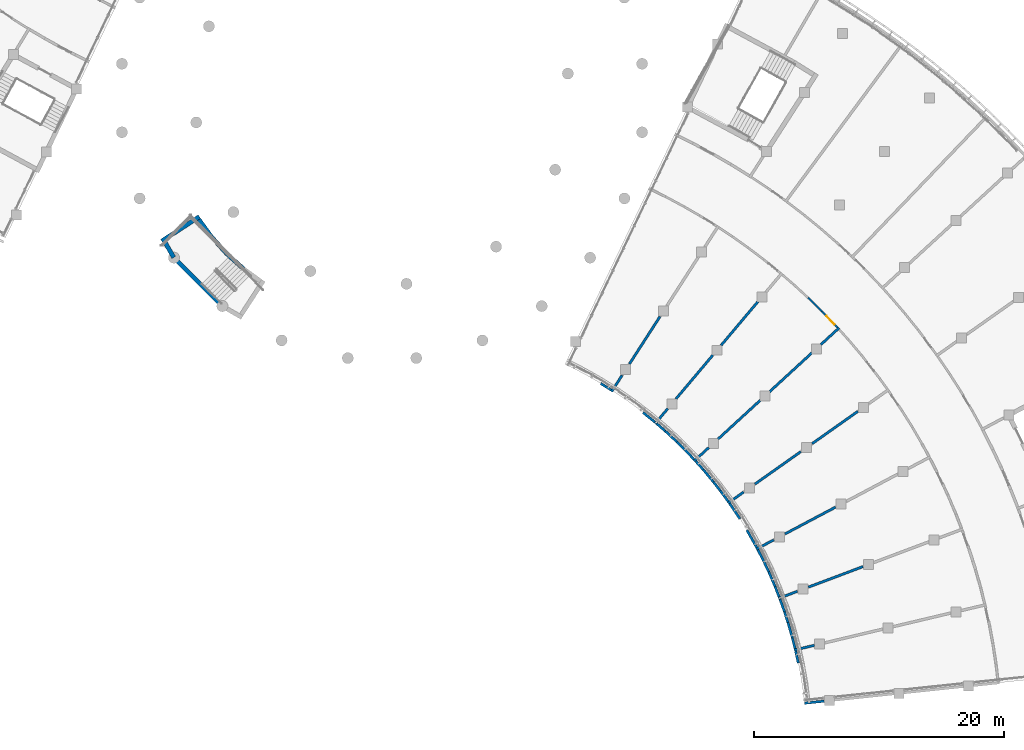
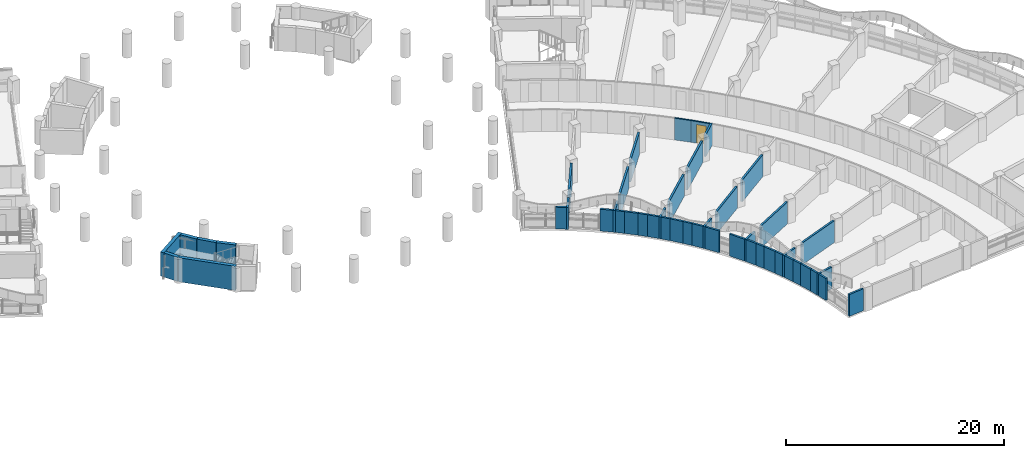
# One storey, part 39 of 89: 47 walls, 1 door, 1 opening.
"""IFC4 building model written with IfcOpenShell, lengths in metres."""

import ifcopenshell
import ifcopenshell.guid

model = None  # the IFC model being written
_history = None  # IfcOwnerHistory: only IFC2X3 demands one
_inside = {}  # id of a spatial element -> (the spatial element, [elements in it])
_under = {}  # id of a project, library or spatial element -> (it, [spatial elements below it])
_declared = {}  # id of a project -> (the project, [libraries it declares])
_typed = {}  # id of a type object -> (the type object, [elements of that type])
_made_of = {}  # id of a material, layer set ... -> (it, [elements and type objects made of it])


def new_model(schema):
    """Start an empty IFC model of exactly this schema.

    Asked for "IFC4X3", IfcOpenShell would pick the latest addendum, in which some entities
    have other attributes; the version numbers below select the first issue.
    IFC2X3 requires an IfcOwnerHistory on every rooted entity: one is made here for all.
    """
    global model, _history
    if schema == "IFC4X3":
        model = ifcopenshell.file(schema_version=(4, 3, 0, 0))
    else:
        model = ifcopenshell.file(schema=schema)
    _inside.clear()
    _under.clear()
    _declared.clear()
    _typed.clear()
    _made_of.clear()
    _history = None
    if model.schema == "IFC2X3":
        org = make("IfcOrganization", Name="unknown")
        user = make(
            "IfcPersonAndOrganization",
            ThePerson=make("IfcPerson", FamilyName="unknown"),
            TheOrganization=org,
        )
        app = make(
            "IfcApplication",
            ApplicationDeveloper=org,
            Version="unknown",
            ApplicationFullName="unknown",
            ApplicationIdentifier="unknown",
        )
        _history = make(
            "IfcOwnerHistory",
            OwningUser=user,
            OwningApplication=app,
            ChangeAction="ADDED",
            CreationDate=0,
        )
    return model


def make(cls, **values):
    """One entity of the class cls with the attributes given. An attribute that is None is left unset."""
    return model.create_entity(
        cls, **{name: value for name, value in values.items() if value is not None}
    )


def rooted(cls, **values):
    """An entity with a GlobalId (a new one), such as an element, a storey or a relation."""
    return make(cls, GlobalId=ifcopenshell.guid.new(), OwnerHistory=_history, **values)


def si_unit(unit_type, name, prefix=None):
    """IfcSIUnit, for example si_unit("LENGTHUNIT", "METRE", prefix="MILLI")."""
    return make("IfcSIUnit", UnitType=unit_type, Prefix=prefix, Name=name)


def assignment(units):
    """IfcUnitAssignment: the units of a project."""
    return None if units is None else make("IfcUnitAssignment", Units=units)


def point(xyz):
    """IfcCartesianPoint."""
    return None if xyz is None else make("IfcCartesianPoint", Coordinates=xyz)


def direction(xyz):
    """IfcDirection."""
    return None if xyz is None else make("IfcDirection", DirectionRatios=xyz)


def frame(location, z_axis=None, x_axis=None):
    """IfcAxis2Placement3D, a coordinate frame: its origin and axes. An axis left out is left unset."""
    return make(
        "IfcAxis2Placement3D",
        Location=point(location),
        Axis=direction(z_axis),
        RefDirection=direction(x_axis),
    )


def frame_2d(location, x_axis=None):
    """IfcAxis2Placement2D, a coordinate frame in the plane: its origin and x axis."""
    return make(
        "IfcAxis2Placement2D", Location=point(location), RefDirection=direction(x_axis)
    )


def origin():
    """The frame at (0, 0, 0) with its axes left unset."""
    return frame((0.0, 0.0, 0.0))


def place(relative_to, where):
    """IfcLocalPlacement: puts the frame where relative to a parent placement (None: the world)."""
    return make(
        "IfcLocalPlacement", PlacementRelTo=relative_to, RelativePlacement=where
    )


def context(
    kind, dimensions, precision=None, world=None, true_north=None, identifier=None
):
    """IfcGeometricRepresentationContext, for example the 3D "Model" context."""
    return make(
        "IfcGeometricRepresentationContext",
        ContextIdentifier=identifier,
        ContextType=kind,
        CoordinateSpaceDimension=dimensions,
        Precision=precision,
        WorldCoordinateSystem=world,
        TrueNorth=true_north,
    )


def subcontext(parent, identifier, kind, view, scale=None):
    """IfcGeometricRepresentationSubContext, for example "Body" below "Model"."""
    return make(
        "IfcGeometricRepresentationSubContext",
        ContextIdentifier=identifier,
        ContextType=kind,
        ParentContext=parent,
        TargetScale=scale,
        TargetView=view,
    )


def project(units=None, contexts=None):
    """IfcProject with its units and contexts."""
    return rooted(
        "IfcProject",
        Name="project",
        RepresentationContexts=contexts,
        UnitsInContext=assignment(units),
    )


def spatial(cls, under=None, at=None, **own):
    """A site, building, storey or space (cls), placed at a placement, below another one or the project."""
    s = rooted(cls, ObjectPlacement=at, **own)
    if under is not None:
        _under.setdefault(under.id(), (under, []))[1].append(s)
    return s


def profile(cls, at=None, kind="AREA", **sizes):
    """A parametric profile (cls). Its sizes go by their IFC names, for example OverallWidth=200.0."""
    return make(cls, ProfileType=kind, Position=at, **sizes)


def rectangle(**sizes):
    """IfcRectangleProfileDef."""
    return profile("IfcRectangleProfileDef", **sizes)


def extrude(swept, where, along, depth):
    """IfcExtrudedAreaSolid: the profile swept, set in the frame where, extruded along a direction by depth."""
    return make(
        "IfcExtrudedAreaSolid",
        SweptArea=swept,
        Position=where,
        ExtrudedDirection=direction(along),
        Depth=depth,
    )


def shape(context_of_items, identifier, shape_type, items):
    """IfcShapeRepresentation: the items that make up one representation, for example the "Body"."""
    return make(
        "IfcShapeRepresentation",
        ContextOfItems=context_of_items,
        RepresentationIdentifier=identifier,
        RepresentationType=shape_type,
        Items=items,
    )


def material(Name=None, Category=None):
    """IfcMaterial."""
    return make("IfcMaterial", Name=Name, Category=Category)


def layer(
    of_material, thickness, ventilated=None, Name=None, Category=None, Priority=None
):
    """IfcMaterialLayer: one layer of a wall or slab, of a material (None: an air gap)."""
    return make(
        "IfcMaterialLayer",
        Material=of_material,
        LayerThickness=thickness,
        IsVentilated=ventilated,
        Name=Name,
        Category=Category,
        Priority=Priority,
    )


def layer_set(layers, Name=None):
    """IfcMaterialLayerSet."""
    return make("IfcMaterialLayerSet", MaterialLayers=layers, LayerSetName=Name)


def made_of(thing, what):
    """Note that an element or type object is made of a material, layer set ...; save() writes the relation."""
    if what is not None:
        _made_of.setdefault(what.id(), (what, []))[1].append(thing)
    return thing


def type_object(cls, material=None, **own):
    """A type object (cls), such as IfcWallType, which elements share."""
    return made_of(rooted(cls, **own), material)


def element(
    cls,
    number,
    at=None,
    inside=None,
    cuts=None,
    type_object=None,
    material=None,
    context=None,
    identifier="Body",
    shape_type=None,
    held_by="IfcProductDefinitionShape",
    body=None,
    shapes=None,
    **own,
):
    """One element of the class cls, such as IfcWall. Its Tag is "e" and its number.

    at: its placement. inside: the storey or other place that contains it. cuts: it is an
    opening in that element (IfcRelVoidsElement). A single representation is given by context,
    identifier, shape_type and body (its items); several are given by shapes. held_by: the class
    of the entity that holds the representations. save() writes the other relations.
    """
    e = rooted(cls, Tag="e%d" % number, ObjectPlacement=at, **own)
    if body is not None:
        shapes = [shape(context, identifier, shape_type, body)]
    if shapes is not None:
        e.Representation = make(held_by, Representations=shapes)
    if inside is not None:
        _inside.setdefault(inside.id(), (inside, []))[1].append(e)
    if cuts is not None:
        rooted(
            "IfcRelVoidsElement", RelatingBuildingElement=cuts, RelatedOpeningElement=e
        )
    if type_object is not None:
        _typed.setdefault(type_object.id(), (type_object, []))[1].append(e)
    return made_of(e, material)


def fill(opening, filler):
    """IfcRelFillsElement: the door or window that sits in an opening."""
    return rooted(
        "IfcRelFillsElement",
        RelatingOpeningElement=opening,
        RelatedBuildingElement=filler,
    )


def aggregate(whole, parts):
    """IfcRelAggregates: a whole, such as a stair, and the parts it consists of."""
    return rooted("IfcRelAggregates", RelatingObject=whole, RelatedObjects=parts)


def save(model, path):
    """Write the relations noted so far, then the file.

    IfcRelAggregates (storeys below a building ...), IfcRelContainedInSpatialStructure (elements
    in a storey), IfcRelDefinesByType, IfcRelAssociatesMaterial and IfcRelDeclares: one each for
    every whole, place, type object, material and project.
    """
    for whole, parts in _under.values():
        aggregate(whole, parts)
    for where, things in _inside.values():
        rooted(
            "IfcRelContainedInSpatialStructure",
            RelatedElements=things,
            RelatingStructure=where,
        )
    for kind, things in _typed.values():
        rooted("IfcRelDefinesByType", RelatedObjects=things, RelatingType=kind)
    for what, things in _made_of.values():
        rooted("IfcRelAssociatesMaterial", RelatedObjects=things, RelatingMaterial=what)
    for by, libraries in _declared.values():
        rooted("IfcRelDeclares", RelatingContext=by, RelatedDefinitions=libraries)
    model.write(path)


model = new_model("IFC4")

# Units and contexts
model_context = context("Model", 3, precision=1e-05, world=origin(), true_north=direction((0.0, 1.0)))
body_context = subcontext(model_context, "Body", "Model", "MODEL_VIEW")
ifc_project = project(units=[si_unit("LENGTHUNIT", "METRE"), si_unit("AREAUNIT", "SQUARE_METRE"), si_unit("VOLUMEUNIT", "CUBIC_METRE"), si_unit("PLANEANGLEUNIT", "RADIAN"), si_unit("MASSUNIT", "GRAM", prefix="KILO")], contexts=[model_context])

# Site, building, storey
site_placement = place(None, origin())
site = spatial("IfcSite", under=ifc_project, at=site_placement, CompositionType="ELEMENT")
building_placement = place(site_placement, origin())
building = spatial("IfcBuilding", under=site, at=building_placement, Name="Bougainvillea Quay General Hospital", CompositionType="ELEMENT")
storey_placement = place(building_placement, frame((0.0, 0.0, 9.89990234375)))
storey = spatial("IfcBuildingStorey", under=building, at=storey_placement, Name="L01M", CompositionType="ELEMENT", Elevation=9.89990234375)

# Wall, opening, door
ifc_material_1 = material(Name="Gypsum board partition on steel studs, insulated", Category="steel")
ifc_layer_1 = layer(ifc_material_1, 0.14990234375)
ifc_layer_set_1 = layer_set([ifc_layer_1], Name="Gypsum board partition on steel studs, insulated")
wall_type_1 = type_object("IfcWallType", Name="Partition 150 Gypsum board partition EI 60", PredefinedType="PARTITIONING", material=ifc_layer_set_1)
wall_1_placement = place(storey_placement, frame((144.408203125, 56.933349609375, 0.0), z_axis=(0.0, 0.0, 1.0), x_axis=(0.688968865463, -0.724790937045, 0.0)))
wall_1 = element("IfcWall", 1, at=wall_1_placement, inside=storey, type_object=wall_type_1, Name="Partition 150 mm EI 60", PredefinedType="PARTITIONING", context=body_context, shape_type="SweptSolid", body=[
    extrude(rectangle(XDim=1.81298828125, YDim=0.14990234375, at=frame_2d((0.906494140625, 0.0))), origin(), (0.0, 0.0, 1.0), 2.4501953125),
])
opening_placement = place(wall_1_placement, frame((0.54443359375, 0.0, 0.0)))
opening = element("IfcOpeningElement", 2, at=opening_placement, cuts=wall_1, Name="Opening L01M.195", PredefinedType="OPENING", context=body_context, shape_type="SweptSolid", body=[
    extrude(rectangle(XDim=0.89990234375, YDim=2.10009765625, at=frame_2d((0.449951171875, 1.050048828125))), frame((0.0, 0.0849609375, 0.0), z_axis=(0.0, -1.0, 0.0), x_axis=(1.0, 0.0, 0.0)), (0.0, 0.0, 1.0), 0.169921875),
])
ifc_material_2 = material(Name="Solid-core timber door leaf in steel frame", Category="steel")
door_type = type_object("IfcDoorType", Name="Single leaf door 900x2100 FD30S", OperationType="NOTDEFINED", PredefinedType="DOOR", material=ifc_material_2)
door_placement = place(opening_placement, frame((0.89990234375, 0.0, 0.0), z_axis=(0.0, 0.0, 1.0), x_axis=(-1.0, 0.0, 0.0)))
door = element("IfcDoor", 3, at=door_placement, inside=storey, type_object=door_type, Name="DT16 L01M.195", OperationType="SINGLE_SWING_LEFT", OverallHeight=2.10009765625, OverallWidth=0.89990234375, PredefinedType="DOOR", context=body_context, shape_type="SweptSolid", body=[
    extrude(rectangle(XDim=0.89990234375, YDim=2.10009765625, at=frame_2d((0.449951171875, 1.050048828125))), frame((0.0, 0.02490234375, 0.0), z_axis=(0.0, -1.0, 0.0), x_axis=(1.0, 0.0, 0.0)), (0.0, 0.0, 1.0), 0.050048828125),
])
fill(opening, door)

# Walls
wall_2_placement = place(storey_placement, frame((143.29248046875, 58.0224609375, 0.0), z_axis=(0.0, 0.0, 1.0), x_axis=(0.714415993139, -0.699721222164, 0.0)))
element("IfcWall", 4, at=wall_2_placement, inside=storey, type_object=wall_type_1, Name="Partition 150 mm EI 60", PredefinedType="PARTITIONING", context=body_context, shape_type="SweptSolid", body=[
    extrude(rectangle(XDim=1.561767578125, YDim=0.14990234375, at=frame_2d((0.78076171875, 0.0))), origin(), (0.0, 0.0, 1.0), 2.4501953125),
])
ifc_material_3 = material(Name="Fire-rated autoclaved aerated block wall, plastered")
ifc_layer_2 = layer(ifc_material_3, 0.199951171875)
ifc_layer_set_2 = layer_set([ifc_layer_2], Name="Fire-rated autoclaved aerated block wall, plastered")
wall_type_2 = type_object("IfcWallType", Name="Partition 200 Fire-rated autoclaved aerated block wall EI 60", PredefinedType="SOLIDWALL", material=ifc_layer_set_2)
wall_3_placement = place(storey_placement, frame((143.012939453125, 25.555908203125, 0.0), z_axis=(0.0, 0.0, 1.0), x_axis=(0.994507978992, 0.104660784066, 0.0)))
element("IfcWall", 5, at=wall_3_placement, inside=storey, type_object=wall_type_2, Name="Partition 200 mm EI 60", PredefinedType="SOLIDWALL", context=body_context, shape_type="SweptSolid", body=[
    extrude(rectangle(XDim=1.588623046875, YDim=0.199951171875, at=frame_2d((0.79443359375, 0.0))), origin(), (0.0, 0.0, 1.0), 2.4501953125),
])
wall_4_placement = place(storey_placement, frame((127.56982421875, 50.490966796875, 0.0), z_axis=(0.0, 0.0, 1.0), x_axis=(0.541895307616, 0.840445998017, 0.0)))
element("IfcWall", 6, at=wall_4_placement, inside=storey, type_object=wall_type_2, Name="Partition 200 mm EI 60", PredefinedType="SOLIDWALL", context=body_context, shape_type="SweptSolid", body=[
    extrude(rectangle(XDim=1.56103515625, YDim=0.199951171875, at=frame_2d((0.780517578125, 0.0))), origin(), (0.0, 0.0, 1.0), 2.4501953125),
])
wall_5_placement = place(storey_placement, frame((129.0, 52.708984375, 0.0), z_axis=(0.0, 0.0, 1.0), x_axis=(0.541840336813, 0.840481439059, 0.0)))
element("IfcWall", 7, at=wall_5_placement, inside=storey, type_object=wall_type_2, Name="Partition 200 mm EI 60", PredefinedType="SOLIDWALL", context=body_context, shape_type="SweptSolid", body=[
    extrude(rectangle(XDim=4.5224609375, YDim=0.199951171875, at=frame_2d((2.26123046875, 0.0))), origin(), (0.0, 0.0, 1.0), 2.4501953125),
])
wall_6_placement = place(storey_placement, frame((142.188720703125, 29.80810546875, 0.0), z_axis=(0.0, 0.0, 1.0), x_axis=(0.973151187657, 0.230166822028, 0.0)))
element("IfcWall", 8, at=wall_6_placement, inside=storey, type_object=wall_type_2, Name="Partition 200 mm EI 60", PredefinedType="SOLIDWALL", context=body_context, shape_type="SweptSolid", body=[
    extrude(rectangle(XDim=1.665283203125, YDim=0.199951171875, at=frame_2d((0.83251953125, 0.0))), origin(), (0.0, 0.0, 1.0), 2.4501953125),
])
wall_7_placement = place(storey_placement, frame((140.926513671875, 33.94287109375, 0.0), z_axis=(0.0, 0.0, 1.0), x_axis=(0.935917600488, 0.352219030003, 0.0)))
element("IfcWall", 9, at=wall_7_placement, inside=storey, type_object=wall_type_2, Name="Partition 200 mm EI 60", PredefinedType="SOLIDWALL", context=body_context, shape_type="SweptSolid", body=[
    extrude(rectangle(XDim=1.6357421875, YDim=0.199951171875, at=frame_2d((0.81787109375, 0.0))), origin(), (0.0, 0.0, 1.0), 2.4501953125),
])
wall_8_placement = place(storey_placement, frame((143.326416015625, 34.84619140625, 0.0), z_axis=(0.0, 0.0, 1.0), x_axis=(0.935907545141, 0.352245747948, 0.0)))
element("IfcWall", 10, at=wall_8_placement, inside=storey, type_object=wall_type_2, Name="Partition 200 mm EI 60", PredefinedType="SOLIDWALL", context=body_context, shape_type="SweptSolid", body=[
    extrude(rectangle(XDim=4.67138671875, YDim=0.199951171875, at=frame_2d((2.335693359375, 0.0))), origin(), (0.0, 0.0, 1.0), 2.4501953125),
])
wall_9_placement = place(storey_placement, frame((131.046630859375, 47.92138671875, 0.0), z_axis=(0.0, 0.0, 1.0), x_axis=(0.644342998537, 0.764736621483, 0.0)))
element("IfcWall", 11, at=wall_9_placement, inside=storey, type_object=wall_type_2, Name="Partition 200 mm EI 60", PredefinedType="SOLIDWALL", context=body_context, shape_type="SweptSolid", body=[
    extrude(rectangle(XDim=1.595947265625, YDim=0.199951171875, at=frame_2d((0.7978515625, 0.0))), origin(), (0.0, 0.0, 1.0), 2.4501953125),
])
for number, where, z_axis, x_axis, name in (
    (12, (132.72509765625, 49.9130859375, 0.0), (0.0, 0.0, 1.0), (0.644405880559, 0.76468363465, 0.0), "Partition 200 mm EI 60"),
    (13, (136.333984375, 54.195556640625, 0.0), (0.0, 0.0, 1.0), (0.644463173637, 0.764635349579, 0.0), "Partition 200 mm EI 60"),
):
    element("IfcWall", number, at=place(storey_placement, frame(where, z_axis=z_axis, x_axis=x_axis)), inside=storey, type_object=wall_type_2, Name=name, PredefinedType="SOLIDWALL", context=body_context, shape_type="SweptSolid", body=[
        extrude(rectangle(XDim=4.59130859375, YDim=0.199951171875, at=frame_2d((2.295654296875, 0.0))), origin(), (0.0, 0.0, 1.0), 2.4501953125),
    ])
wall_10_placement = place(storey_placement, frame((139.148681640625, 37.884033203125, 0.0), z_axis=(0.0, 0.0, 1.0), x_axis=(0.883426591495, 0.468569586551, 0.0)))
element("IfcWall", 14, at=wall_10_placement, inside=storey, type_object=wall_type_2, Name="Partition 200 mm EI 60", PredefinedType="SOLIDWALL", context=body_context, shape_type="SweptSolid", body=[
    extrude(rectangle(XDim=1.595458984375, YDim=0.199951171875, at=frame_2d((0.7978515625, 0.0))), origin(), (0.0, 0.0, 1.0), 2.4501953125),
])
wall_11_placement = place(storey_placement, frame((141.449951171875, 39.1044921875, 0.0), z_axis=(0.0, 0.0, 1.0), x_axis=(0.883469440347, 0.468488791726, 0.0)))
element("IfcWall", 15, at=wall_11_placement, inside=storey, type_object=wall_type_2, Name="Partition 200 mm EI 60", PredefinedType="SOLIDWALL", context=body_context, shape_type="SweptSolid", body=[
    extrude(rectangle(XDim=4.590087890625, YDim=0.199951171875, at=frame_2d((2.294921875, 0.0))), origin(), (0.0, 0.0, 1.0), 2.4501953125),
])
wall_12_placement = place(storey_placement, frame((136.88330078125, 41.56640625, 0.0), z_axis=(0.0, 0.0, 1.0), x_axis=(0.816722573068, 0.577030535276, 0.0)))
element("IfcWall", 16, at=wall_12_placement, inside=storey, type_object=wall_type_2, Name="Partition 200 mm EI 60", PredefinedType="SOLIDWALL", context=body_context, shape_type="SweptSolid", body=[
    extrude(rectangle(XDim=1.545166015625, YDim=0.199951171875, at=frame_2d((0.7724609375, 0.0))), origin(), (0.0, 0.0, 1.0), 2.4501953125),
])
wall_13_placement = place(storey_placement, frame((139.05078125, 43.097900390625, 0.0), z_axis=(0.0, 0.0, 1.0), x_axis=(0.816646850933, 0.577137696622, 0.0)))
element("IfcWall", 17, at=wall_13_placement, inside=storey, type_object=wall_type_2, Name="Partition 200 mm EI 60", PredefinedType="SOLIDWALL", context=body_context, shape_type="SweptSolid", body=[
    extrude(rectangle(XDim=4.4912109375, YDim=0.199951171875, at=frame_2d((2.24560546875, 0.0))), origin(), (0.0, 0.0, 1.0), 2.4501953125),
])
wall_14_placement = place(storey_placement, frame((143.623779296875, 46.330078125, 0.0), z_axis=(0.0, 0.0, 1.0), x_axis=(0.816671102828, 0.577103378785, 0.0)))
element("IfcWall", 18, at=wall_14_placement, inside=storey, type_object=wall_type_2, Name="Partition 200 mm EI 60", PredefinedType="SOLIDWALL", context=body_context, shape_type="SweptSolid", body=[
    extrude(rectangle(XDim=4.4931640625, YDim=0.199951171875, at=frame_2d((2.24658203125, 0.0))), origin(), (0.0, 0.0, 1.0), 2.4501953125),
])
wall_15_placement = place(storey_placement, frame((134.168212890625, 44.930419921875, 0.0), z_axis=(0.0, 0.0, 1.0), x_axis=(0.73653910691, 0.676394961537, 0.0)))
element("IfcWall", 19, at=wall_15_placement, inside=storey, type_object=wall_type_2, Name="Partition 200 mm EI 60", PredefinedType="SOLIDWALL", context=body_context, shape_type="SweptSolid", body=[
    extrude(rectangle(XDim=1.615478515625, YDim=0.199951171875, at=frame_2d((0.8076171875, 0.0))), origin(), (0.0, 0.0, 1.0), 2.4501953125),
])
for number, where, z_axis, x_axis, name in (
    (20, (136.072021484375, 46.6787109375, 0.0), (0.0, 0.0, 1.0), (0.736492902605, 0.676445270818, 0.0), "Partition 200 mm EI 60"),
    (21, (140.196533203125, 50.466796875, 0.0), (0.0, 0.0, 1.0), (0.736519167744, 0.676416673025, 0.0), "Partition 200 mm EI 60"),
):
    element("IfcWall", number, at=place(storey_placement, frame(where, z_axis=z_axis, x_axis=x_axis)), inside=storey, type_object=wall_type_2, Name=name, PredefinedType="SOLIDWALL", context=body_context, shape_type="SweptSolid", body=[
        extrude(rectangle(XDim=4.630859375, YDim=0.199951171875, at=frame_2d((2.3154296875, 0.0))), origin(), (0.0, 0.0, 1.0), 2.4501953125),
    ])
wall_16_placement = place(storey_placement, frame((144.321044921875, 54.2548828125, 0.0), z_axis=(0.0, 0.0, 1.0), x_axis=(0.736556164045, 0.676376387233, 0.0)))
element("IfcWall", 22, at=wall_16_placement, inside=storey, type_object=wall_type_2, Name="Partition 200 mm EI 60", PredefinedType="SOLIDWALL", context=body_context, shape_type="SweptSolid", body=[
    extrude(rectangle(XDim=1.98388671875, YDim=0.199951171875, at=frame_2d((0.991943359375, 0.0))), origin(), (0.0, 0.0, 1.0), 2.4501953125),
])
wall_17_placement = place(storey_placement, frame((138.39892578125, 39.4189453125, 0.0), z_axis=(0.0, 0.0, 1.0), x_axis=(0.490822659644, -0.871259500252, 0.0)))
element("IfcWall", 23, at=wall_17_placement, inside=storey, type_object=wall_type_2, Name="Partition 200 mm EI 60", PredefinedType="SOLIDWALL", context=body_context, shape_type="SweptSolid", body=[
    extrude(rectangle(XDim=1.610107421875, YDim=0.199951171875, at=frame_2d((0.80517578125, 0.0))), origin(), (0.0, 0.0, 1.0), 2.4501953125),
])
wall_18_placement = place(storey_placement, frame((137.01953125, 41.54296875, 0.0), z_axis=(0.0, 0.0, 1.0), x_axis=(0.558005418638, -0.829837305, 0.0)))
element("IfcWall", 24, at=wall_18_placement, inside=storey, type_object=wall_type_2, Name="Partition 200 mm EI 60", PredefinedType="SOLIDWALL", context=body_context, shape_type="SweptSolid", body=[
    extrude(rectangle(XDim=1.48095703125, YDim=0.199951171875, at=frame_2d((0.740478515625, 0.0))), origin(), (0.0, 0.0, 1.0), 2.4501953125),
])
wall_19_placement = place(storey_placement, frame((130.090087890625, 48.825927734375, 0.0), z_axis=(0.0, 0.0, 1.0), x_axis=(0.776766396778, -0.629788825589, 0.0)))
element("IfcWall", 25, at=wall_19_placement, inside=storey, type_object=wall_type_2, Name="Partition 200 mm EI 60", PredefinedType="SOLIDWALL", context=body_context, shape_type="SweptSolid", body=[
    extrude(rectangle(XDim=1.212646484375, YDim=0.199951171875, at=frame_2d((0.6064453125, 0.0))), origin(), (0.0, 0.0, 1.0), 2.4501953125),
])
wall_20_placement = place(storey_placement, frame((139.283203125, 37.840576171875, 0.0), z_axis=(0.0, 0.0, 1.0), x_axis=(0.454138365069, -0.890931167584, 0.0)))
element("IfcWall", 26, at=wall_20_placement, inside=storey, type_object=wall_type_2, Name="Partition 200 mm EI 60", PredefinedType="SOLIDWALL", context=body_context, shape_type="SweptSolid", body=[
    extrude(rectangle(XDim=1.083740234375, YDim=0.199951171875, at=frame_2d((0.5419921875, 0.0))), origin(), (0.0, 0.0, 1.0), 2.4501953125),
])
wall_21_placement = place(storey_placement, frame((141.69140625, 32.02099609375, 0.0), z_axis=(0.0, 0.0, 1.0), x_axis=(0.276401735267, -0.961042184684, 0.0)))
element("IfcWall", 27, at=wall_21_placement, inside=storey, type_object=wall_type_2, Name="Partition 200 mm EI 60", PredefinedType="SOLIDWALL", context=body_context, shape_type="SweptSolid", body=[
    extrude(rectangle(XDim=1.28515625, YDim=0.199951171875, at=frame_2d((0.642578125, 0.0))), origin(), (0.0, 0.0, 1.0), 2.4501953125),
])
wall_22_placement = place(storey_placement, frame((126.702880859375, 51.14892578125, 0.0), z_axis=(0.0, 0.0, 1.0), x_axis=(0.848722485517, -0.528838484396, 0.0)))
element("IfcWall", 28, at=wall_22_placement, inside=storey, type_object=wall_type_2, Name="Partition 200 mm EI 60", PredefinedType="SOLIDWALL", context=body_context, shape_type="SweptSolid", body=[
    extrude(rectangle(XDim=0.98388671875, YDim=0.199951171875, at=frame_2d((0.491943359375, 0.0))), origin(), (0.0, 0.0, 1.0), 2.4501953125),
])
wall_23_placement = place(storey_placement, frame((133.42626953125, 45.857421875, 0.0), z_axis=(0.0, 0.0, 1.0), x_axis=(0.688500657231, -0.725235716848, 0.0)))
element("IfcWall", 29, at=wall_23_placement, inside=storey, type_object=wall_type_2, Name="Partition 200 mm EI 60", PredefinedType="SOLIDWALL", context=body_context, shape_type="SweptSolid", body=[
    extrude(rectangle(XDim=1.083251953125, YDim=0.199951171875, at=frame_2d((0.54150390625, 0.0))), origin(), (0.0, 0.0, 1.0), 2.4501953125),
])
wall_24_placement = place(storey_placement, frame((134.89892578125, 44.264892578125, 0.0), z_axis=(0.0, 0.0, 1.0), x_axis=(0.63966102891, -0.768657119979, 0.0)))
element("IfcWall", 30, at=wall_24_placement, inside=storey, type_object=wall_type_2, Name="Partition 200 mm EI 60", PredefinedType="SOLIDWALL", context=body_context, shape_type="SweptSolid", body=[
    extrude(rectangle(XDim=1.28515625, YDim=0.199951171875, at=frame_2d((0.642578125, 0.0))), origin(), (0.0, 0.0, 1.0), 2.4501953125),
])
wall_25_placement = place(storey_placement, frame((136.26611328125, 42.580810546875, 0.0), z_axis=(0.0, 0.0, 1.0), x_axis=(0.58981879385, -0.807535627958, 0.0)))
element("IfcWall", 31, at=wall_25_placement, inside=storey, type_object=wall_type_2, Name="Partition 200 mm EI 60", PredefinedType="SOLIDWALL", context=body_context, shape_type="SweptSolid", body=[
    extrude(rectangle(XDim=1.083251953125, YDim=0.199951171875, at=frame_2d((0.54150390625, 0.0))), origin(), (0.0, 0.0, 1.0), 2.4501953125),
])
for number, where, z_axis, x_axis, name in (
    (32, (140.15234375, 36.07470703125, 0.0), (0.0, 0.0, 1.0), (0.396417815, -0.918070212974, 0.0), "Partition 200 mm EI 60"),
    (33, (131.855712890625, 47.35400390625, 0.0), (0.0, 0.0, 1.0), (0.732935605709, -0.680298021373, 0.0), "Partition 200 mm EI 60"),
):
    element("IfcWall", number, at=place(storey_placement, frame(where, z_axis=z_axis, x_axis=x_axis)), inside=storey, type_object=wall_type_2, Name=name, PredefinedType="SOLIDWALL", context=body_context, shape_type="SweptSolid", body=[
        extrude(rectangle(XDim=1.28466796875, YDim=0.199951171875, at=frame_2d((0.642333984375, 0.0))), origin(), (0.0, 0.0, 1.0), 2.4501953125),
    ])
wall_26_placement = place(storey_placement, frame((132.79296875, 46.479736328125, 0.0), z_axis=(0.0, 0.0, 1.0), x_axis=(0.710797741311, -0.703396453607, 0.0)))
element("IfcWall", 34, at=wall_26_placement, inside=storey, type_object=wall_type_2, Name="Partition 200 mm EI 60", PredefinedType="SOLIDWALL", context=body_context, shape_type="SweptSolid", body=[
    extrude(rectangle(XDim=0.890625, YDim=0.199951171875, at=frame_2d((0.4453125, 0.0))), origin(), (0.0, 0.0, 1.0), 2.4501953125),
])
wall_27_placement = place(storey_placement, frame((140.65771484375, 34.896728515625, 0.0), z_axis=(0.0, 0.0, 1.0), x_axis=(0.366777508013, -0.930308690498, 0.0)))
element("IfcWall", 35, at=wall_27_placement, inside=storey, type_object=wall_type_2, Name="Partition 200 mm EI 60", PredefinedType="SOLIDWALL", context=body_context, shape_type="SweptSolid", body=[
    extrude(rectangle(XDim=0.885986328125, YDim=0.199951171875, at=frame_2d((0.44287109375, 0.0))), origin(), (0.0, 0.0, 1.0), 2.4501953125),
])
wall_28_placement = place(storey_placement, frame((141.05419921875, 33.88232421875, 0.0), z_axis=(0.0, 0.0, 1.0), x_axis=(0.337449989376, -0.941343457337, 0.0)))
element("IfcWall", 36, at=wall_28_placement, inside=storey, type_object=wall_type_2, Name="Partition 200 mm EI 60", PredefinedType="SOLIDWALL", context=body_context, shape_type="SweptSolid", body=[
    extrude(rectangle(XDim=1.0830078125, YDim=0.199951171875, at=frame_2d((0.54150390625, 0.0))), origin(), (0.0, 0.0, 1.0), 2.4501953125),
])
wall_29_placement = place(storey_placement, frame((131.1875, 47.931396484375, 0.0), z_axis=(0.0, 0.0, 1.0), x_axis=(0.754314825432, -0.656512866693, 0.0)))
element("IfcWall", 37, at=wall_29_placement, inside=storey, type_object=wall_type_2, Name="Partition 200 mm EI 60", PredefinedType="SOLIDWALL", context=body_context, shape_type="SweptSolid", body=[
    extrude(rectangle(XDim=0.88623046875, YDim=0.199951171875, at=frame_2d((0.443115234375, 0.0))), origin(), (0.0, 0.0, 1.0), 2.4501953125),
])
wall_30_placement = place(storey_placement, frame((134.3095703125, 44.922119140625, 0.0), z_axis=(0.0, 0.0, 1.0), x_axis=(0.664859650859, -0.746968302312, 0.0)))
element("IfcWall", 38, at=wall_30_placement, inside=storey, type_object=wall_type_2, Name="Partition 200 mm EI 60", PredefinedType="SOLIDWALL", context=body_context, shape_type="SweptSolid", body=[
    extrude(rectangle(XDim=0.885986328125, YDim=0.199951171875, at=frame_2d((0.44287109375, 0.0))), origin(), (0.0, 0.0, 1.0), 2.4501953125),
])
wall_31_placement = place(storey_placement, frame((141.415771484375, 32.86474609375, 0.0), z_axis=(0.0, 0.0, 1.0), x_axis=(0.307002779923, -0.951708617761, 0.0)))
element("IfcWall", 39, at=wall_31_placement, inside=storey, type_object=wall_type_2, Name="Partition 200 mm EI 60", PredefinedType="SOLIDWALL", context=body_context, shape_type="SweptSolid", body=[
    extrude(rectangle(XDim=0.890625, YDim=0.199951171875, at=frame_2d((0.4453125, 0.0))), origin(), (0.0, 0.0, 1.0), 2.4501953125),
])
wall_32_placement = place(storey_placement, frame((142.04296875, 30.7880859375, 0.0), z_axis=(0.0, 0.0, 1.0), x_axis=(0.246100424032, -0.969244335187, 0.0)))
element("IfcWall", 40, at=wall_32_placement, inside=storey, type_object=wall_type_2, Name="Partition 200 mm EI 60", PredefinedType="SOLIDWALL", context=body_context, shape_type="SweptSolid", body=[
    extrude(rectangle(XDim=0.885986328125, YDim=0.199951171875, at=frame_2d((0.44287109375, 0.0))), origin(), (0.0, 0.0, 1.0), 2.4501953125),
])
wall_33_placement = place(storey_placement, frame((139.771240234375, 36.876220703125, 0.0), z_axis=(0.0, 0.0, 1.0), x_axis=(0.426034673194, -0.904706834967, 0.0)))
element("IfcWall", 41, at=wall_33_placement, inside=storey, type_object=wall_type_2, Name="Partition 200 mm EI 60", PredefinedType="SOLIDWALL", context=body_context, shape_type="SweptSolid", body=[
    extrude(rectangle(XDim=0.890625, YDim=0.199951171875, at=frame_2d((0.4453125, 0.0))), origin(), (0.0, 0.0, 1.0), 2.4501953125),
])
wall_34_placement = place(storey_placement, frame((142.307861328125, 29.731689453125, 0.0), z_axis=(0.0, 0.0, 1.0), x_axis=(0.214904437944, -0.976635081569, 0.0)))
element("IfcWall", 42, at=wall_34_placement, inside=storey, type_object=wall_type_2, Name="Partition 200 mm EI 60", PredefinedType="SOLIDWALL", context=body_context, shape_type="SweptSolid", body=[
    extrude(rectangle(XDim=0.982666015625, YDim=0.199951171875, at=frame_2d((0.4912109375, 0.0))), origin(), (0.0, 0.0, 1.0), 2.4501953125),
])
wall_35_placement = place(storey_placement, frame((135.716796875, 43.277587890625, 0.0), z_axis=(0.0, 0.0, 1.0), x_axis=(0.616197341432, -0.787591795546, 0.0)))
element("IfcWall", 43, at=wall_35_placement, inside=storey, type_object=wall_type_2, Name="Partition 200 mm EI 60", PredefinedType="SOLIDWALL", context=body_context, shape_type="SweptSolid", body=[
    extrude(rectangle(XDim=0.890380859375, YDim=0.199951171875, at=frame_2d((0.4453125, 0.0))), origin(), (0.0, 0.0, 1.0), 2.4501953125),
])
ifc_material_4 = material(Name="Concrete C40", Category="concrete")
ifc_layer_3 = layer(ifc_material_4, 0.35009765625)
ifc_layer_set_3 = layer_set([ifc_layer_3], Name="Concrete C40")
wall_type_3 = type_object("IfcWallType", Name="RC SHEAR WALL 350 C40", PredefinedType="SHEAR", material=ifc_layer_set_3)
wall_36_placement = place(storey_placement, frame((91.568115234375, 62.5498046875, 0.0), z_axis=(0.0, 0.0, 1.0), x_axis=(0.838691576971, 0.544606682587, 0.0)))
element("IfcWall", 44, at=wall_36_placement, inside=storey, type_object=wall_type_3, Name="Shear wall L01M", PredefinedType="SHEAR", context=body_context, shape_type="SweptSolid", body=[
    extrude(rectangle(XDim=3.597900390625, YDim=0.35009765625, at=frame_2d((1.798828125, 0.0))), origin(), (0.0, 0.0, 1.0), 2.7001953125),
])
wall_37_placement = place(storey_placement, frame((91.802490234375, 62.493408203125, 0.0), z_axis=(0.0, 0.0, 1.0), x_axis=(0.500008670696, -0.866020397698, 0.0)))
element("IfcWall", 45, at=wall_37_placement, inside=storey, type_object=wall_type_3, Name="Shear wall L01M", PredefinedType="SHEAR", context=body_context, shape_type="SweptSolid", body=[
    extrude(rectangle(XDim=1.4521484375, YDim=0.35009765625, at=frame_2d((0.72607421875, 0.0))), origin(), (0.0, 0.0, 1.0), 2.7001953125),
])
wall_38_placement = place(storey_placement, frame((92.556396484375, 61.19970703125, 0.0), z_axis=(0.0, 0.0, 1.0), x_axis=(0.707084322301, -0.707129239359, 0.0)))
element("IfcWall", 46, at=wall_38_placement, inside=storey, type_object=wall_type_3, Name="Shear wall L01M", PredefinedType="SHEAR", context=body_context, shape_type="SweptSolid", body=[
    extrude(rectangle(XDim=5.435302734375, YDim=0.35009765625, at=frame_2d((2.7177734375, 0.0))), origin(), (0.0, 0.0, 1.0), 2.7001953125),
])
wall_39_placement = place(storey_placement, frame((95.5166015625, 62.931396484375, 0.0), z_axis=(0.0, 0.0, 1.0), x_axis=(-0.587891456294, 0.808939822, 0.0)))
element("IfcWall", 47, at=wall_39_placement, inside=storey, type_object=wall_type_3, Name="Shear wall L01M", PredefinedType="SHEAR", context=body_context, shape_type="SweptSolid", body=[
    extrude(rectangle(XDim=1.65771484375, YDim=0.35009765625, at=frame_2d((0.828857421875, 0.0))), origin(), (0.0, 0.0, 1.0), 2.7001953125),
])
for number, where, z_axis, x_axis, name in (
    (48, (96.748779296875, 61.561767578125, 0.0), (0.0, 0.0, 1.0), (-0.669201321397, 0.743081147279, 0.0), "Shear wall L01M"),
    (49, (98.1171875, 60.328125, 0.0), (0.0, 0.0, 1.0), (-0.743081147279, 0.669201321397, 0.0), "Shear wall L01M"),
):
    element("IfcWall", number, at=place(storey_placement, frame(where, z_axis=z_axis, x_axis=x_axis)), inside=storey, type_object=wall_type_3, Name=name, PredefinedType="SHEAR", context=body_context, shape_type="SweptSolid", body=[
        extrude(rectangle(XDim=1.82421875, YDim=0.35009765625, at=frame_2d((0.912109375, 0.0))), origin(), (0.0, 0.0, 1.0), 2.7001953125),
    ])

save(model, "model.ifc")
